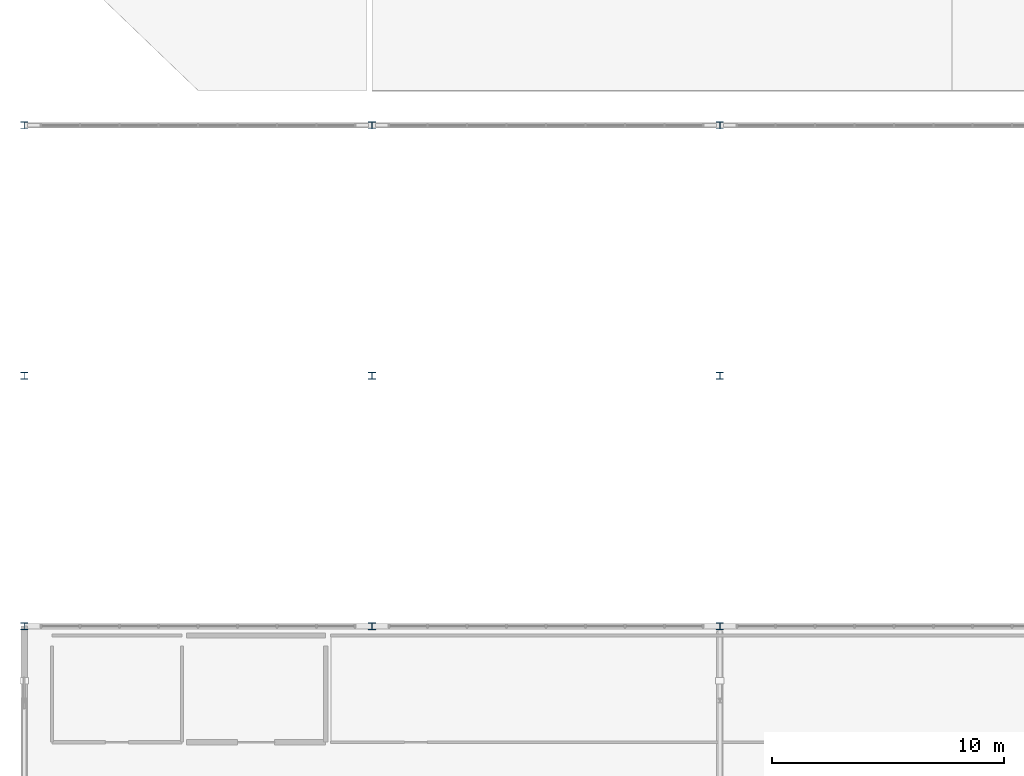
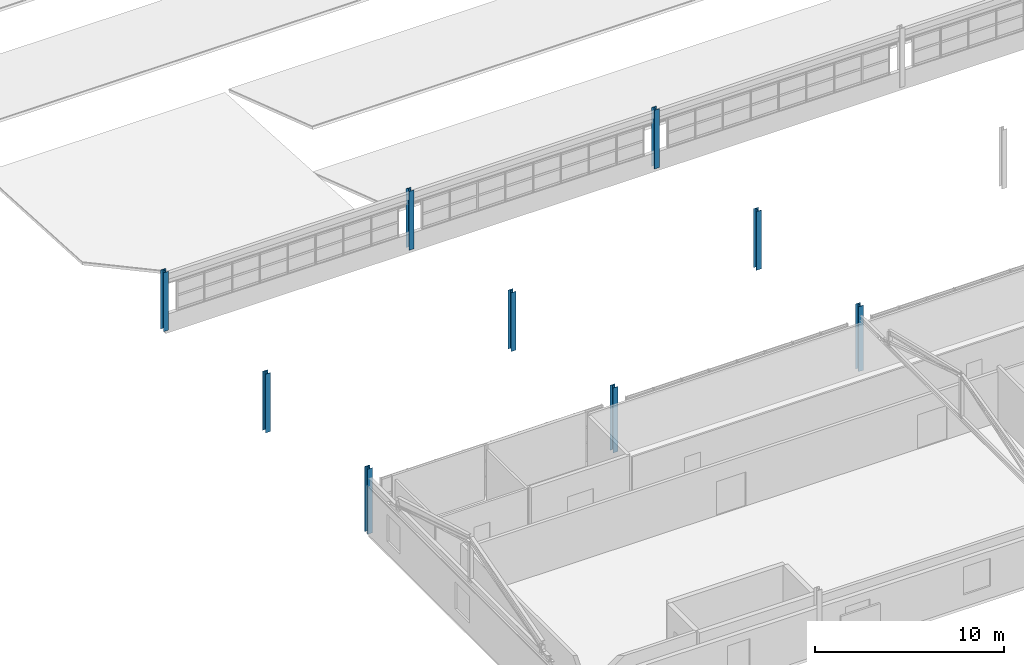
# One storey, part 3 of 90: 9 columns.
"""IFC4 building model written with IfcOpenShell, lengths in metres."""

from ifc_helpers import new_model, si_unit, direction, frame, origin, origin_2d, place, context, subcontext, project, spatial, i_section, extrude, material, material_profile, profile_set, type_object, element, save


model = new_model("IFC4")

# Units and contexts
model_context = context("Model", 3, precision=1e-05, world=origin(), true_north=direction((0.0, 1.0)))
body_context = subcontext(model_context, "Body", "Model", "MODEL_VIEW")
ifc_project = project(units=[si_unit("LENGTHUNIT", "METRE"), si_unit("AREAUNIT", "SQUARE_METRE"), si_unit("VOLUMEUNIT", "CUBIC_METRE"), si_unit("PLANEANGLEUNIT", "RADIAN"), si_unit("MASSUNIT", "GRAM", prefix="KILO")], contexts=[model_context])

# Site, building, storey
site_placement = place(None, origin())
site = spatial("IfcSite", under=ifc_project, at=site_placement, CompositionType="ELEMENT")
building_placement = place(site_placement, origin())
building = spatial("IfcBuilding", under=site, at=building_placement, Name="Solanera Park Tramway Depot", CompositionType="ELEMENT")
storey_placement = place(building_placement, frame((0.0, 0.0, 9.0)))
storey = spatial("IfcBuildingStorey", under=building, at=storey_placement, Name="L02", CompositionType="ELEMENT", Elevation=9.0)

# Columns
ifc_material_1 = material(Name="Steel AS/NZS 3679.1 Grade 350", Category="steel")
ifc_material_profile_1 = material_profile(ifc_material_1, i_section(OverallWidth=0.306884765625, OverallDepth=0.314697265625, WebThickness=0.011962890625, FlangeThickness=0.018798828125, at=origin_2d()), Name="310UC118")
ifc_profile_set_1 = profile_set([ifc_material_profile_1], Name="Steel AS/NZS 3679.1 Grade 350")
column_type_1 = type_object("IfcColumnType", Name="Steel Column Ext 310UC118", PredefinedType="COLUMN", material=ifc_profile_set_1)
column_1_placement = place(storey_placement, frame((0.0, 32.39990234375, 0.0), z_axis=(0.0, 0.0, 1.0), x_axis=(1.0, 0.0, 0.0)))
element("IfcColumn", 1, at=column_1_placement, inside=storey, type_object=column_type_1, Name="L02 Column V2-X0-Y324", PredefinedType="COLUMN", context=body_context, shape_type="SweptSolid", body=[
    extrude(i_section(OverallWidth=0.306884765625, OverallDepth=0.314697265625, WebThickness=0.011962890625, FlangeThickness=0.018798828125, at=origin_2d()), origin(), (0.0, 0.0, 1.0), 4.199951171875),
])
for number, where, z_axis, x_axis, name in (
    (2, (0.0, 43.199951171875, 0.0), (0.0, 0.0, 1.0), (1.0, 0.0, 0.0), "L02 Column V2-X0-Y432"),
    (3, (0.0, 54.0, 0.0), (0.0, 0.0, 1.0), (1.0, 0.0, 0.0), "L02 Column V2-X0-Y540"),
    (4, (15.0, 54.0, 0.0), (0.0, 0.0, 1.0), (1.0, 0.0, 0.0), "L02 Column V2-X150-Y540"),
    (5, (30.0, 54.0, 0.0), (0.0, 0.0, 1.0), (1.0, 0.0, 0.0), "L02 Column V2-X300-Y540"),
):
    element("IfcColumn", number, at=place(storey_placement, frame(where, z_axis=z_axis, x_axis=x_axis)), inside=storey, type_object=column_type_1, Name=name, PredefinedType="COLUMN", context=body_context, shape_type="SweptSolid", body=[
        extrude(i_section(OverallWidth=0.306884765625, OverallDepth=0.314697265625, WebThickness=0.011962890625, FlangeThickness=0.018798828125, at=origin_2d()), origin(), (0.0, 0.0, 1.0), 3.800048828125),
    ])
ifc_material_2 = material(Name="Steel AS/NZS 3679.1 Grade 350", Category="steel")
ifc_material_profile_2 = material_profile(ifc_material_2, i_section(OverallWidth=0.306884765625, OverallDepth=0.314697265625, WebThickness=0.011962890625, FlangeThickness=0.018798828125, at=origin_2d()), Name="310UC118")
ifc_profile_set_2 = profile_set([ifc_material_profile_2], Name="Steel AS/NZS 3679.1 Grade 350")
column_type_2 = type_object("IfcColumnType", Name="Steel Column Int 310UC118", PredefinedType="COLUMN", material=ifc_profile_set_2)
column_2_placement = place(storey_placement, frame((15.0, 32.39990234375, 0.0), z_axis=(0.0, 0.0, 1.0), x_axis=(1.0, 0.0, 0.0)))
element("IfcColumn", 6, at=column_2_placement, inside=storey, type_object=column_type_2, Name="L02 Column V2-X150-Y324", PredefinedType="COLUMN", context=body_context, shape_type="SweptSolid", body=[
    extrude(i_section(OverallWidth=0.306884765625, OverallDepth=0.314697265625, WebThickness=0.011962890625, FlangeThickness=0.018798828125, at=origin_2d()), origin(), (0.0, 0.0, 1.0), 4.199951171875),
])
column_3_placement = place(storey_placement, frame((15.0, 43.199951171875, 0.0), z_axis=(0.0, 0.0, 1.0), x_axis=(1.0, 0.0, 0.0)))
element("IfcColumn", 7, at=column_3_placement, inside=storey, type_object=column_type_2, Name="L02 Column V2-X150-Y432", PredefinedType="COLUMN", context=body_context, shape_type="SweptSolid", body=[
    extrude(i_section(OverallWidth=0.306884765625, OverallDepth=0.314697265625, WebThickness=0.011962890625, FlangeThickness=0.018798828125, at=origin_2d()), origin(), (0.0, 0.0, 1.0), 3.800048828125),
])
column_4_placement = place(storey_placement, frame((30.0, 32.39990234375, 0.0), z_axis=(0.0, 0.0, 1.0), x_axis=(1.0, 0.0, 0.0)))
element("IfcColumn", 8, at=column_4_placement, inside=storey, type_object=column_type_2, Name="L02 Column V2-X300-Y324", PredefinedType="COLUMN", context=body_context, shape_type="SweptSolid", body=[
    extrude(i_section(OverallWidth=0.306884765625, OverallDepth=0.314697265625, WebThickness=0.011962890625, FlangeThickness=0.018798828125, at=origin_2d()), origin(), (0.0, 0.0, 1.0), 4.199951171875),
])
column_5_placement = place(storey_placement, frame((30.0, 43.199951171875, 0.0), z_axis=(0.0, 0.0, 1.0), x_axis=(1.0, 0.0, 0.0)))
element("IfcColumn", 9, at=column_5_placement, inside=storey, type_object=column_type_2, Name="L02 Column V2-X300-Y432", PredefinedType="COLUMN", context=body_context, shape_type="SweptSolid", body=[
    extrude(i_section(OverallWidth=0.306884765625, OverallDepth=0.314697265625, WebThickness=0.011962890625, FlangeThickness=0.018798828125, at=origin_2d()), origin(), (0.0, 0.0, 1.0), 3.800048828125),
])

save(model, "model.ifc")
